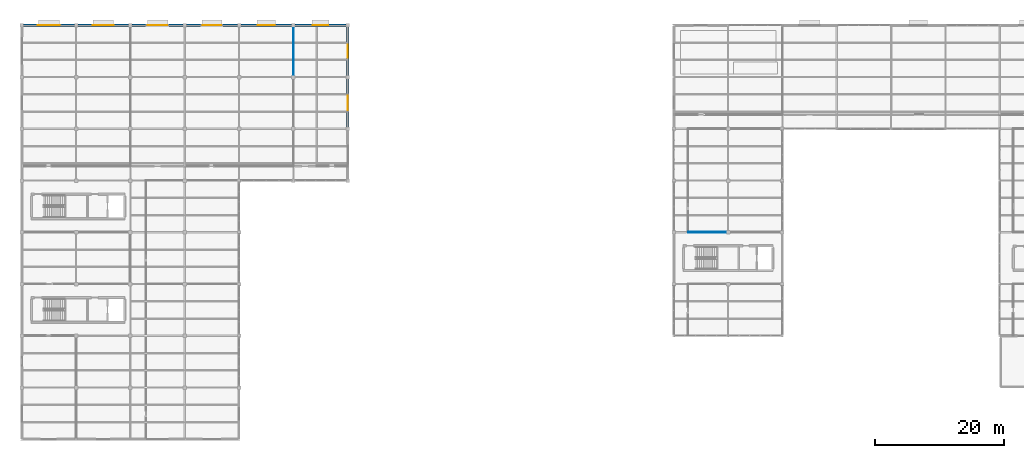
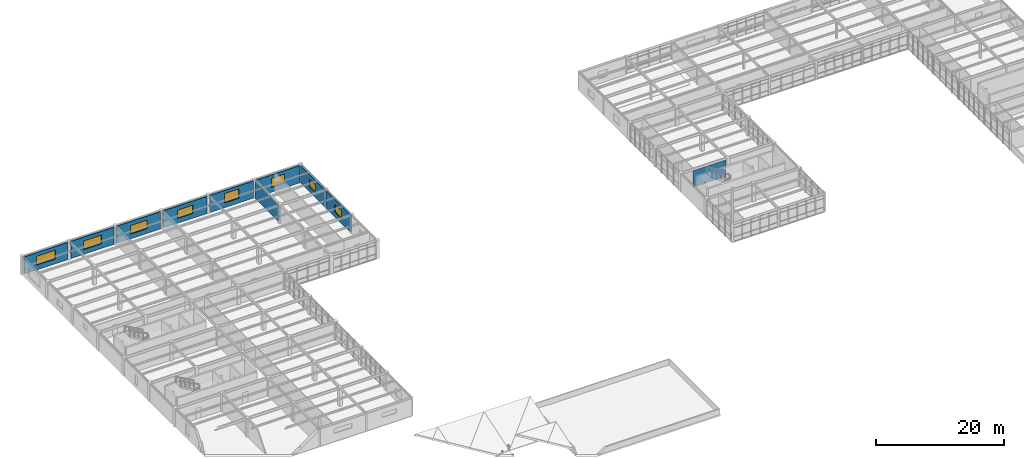
# One storey, part 44 of 53: 10 walls, 8 windows, 8 openings.
"""IFC4 building model written with IfcOpenShell, lengths in metres."""

import ifcopenshell
import ifcopenshell.guid

model = None  # the IFC model being written
_history = None  # IfcOwnerHistory: only IFC2X3 demands one
_inside = {}  # id of a spatial element -> (the spatial element, [elements in it])
_under = {}  # id of a project, library or spatial element -> (it, [spatial elements below it])
_declared = {}  # id of a project -> (the project, [libraries it declares])
_typed = {}  # id of a type object -> (the type object, [elements of that type])
_made_of = {}  # id of a material, layer set ... -> (it, [elements and type objects made of it])


def new_model(schema):
    """Start an empty IFC model of exactly this schema.

    Asked for "IFC4X3", IfcOpenShell would pick the latest addendum, in which some entities
    have other attributes; the version numbers below select the first issue.
    IFC2X3 requires an IfcOwnerHistory on every rooted entity: one is made here for all.
    """
    global model, _history
    if schema == "IFC4X3":
        model = ifcopenshell.file(schema_version=(4, 3, 0, 0))
    else:
        model = ifcopenshell.file(schema=schema)
    _inside.clear()
    _under.clear()
    _declared.clear()
    _typed.clear()
    _made_of.clear()
    _history = None
    if model.schema == "IFC2X3":
        org = make("IfcOrganization", Name="unknown")
        user = make(
            "IfcPersonAndOrganization",
            ThePerson=make("IfcPerson", FamilyName="unknown"),
            TheOrganization=org,
        )
        app = make(
            "IfcApplication",
            ApplicationDeveloper=org,
            Version="unknown",
            ApplicationFullName="unknown",
            ApplicationIdentifier="unknown",
        )
        _history = make(
            "IfcOwnerHistory",
            OwningUser=user,
            OwningApplication=app,
            ChangeAction="ADDED",
            CreationDate=0,
        )
    return model


def make(cls, **values):
    """One entity of the class cls with the attributes given. An attribute that is None is left unset."""
    return model.create_entity(
        cls, **{name: value for name, value in values.items() if value is not None}
    )


def rooted(cls, **values):
    """An entity with a GlobalId (a new one), such as an element, a storey or a relation."""
    return make(cls, GlobalId=ifcopenshell.guid.new(), OwnerHistory=_history, **values)


def si_unit(unit_type, name, prefix=None):
    """IfcSIUnit, for example si_unit("LENGTHUNIT", "METRE", prefix="MILLI")."""
    return make("IfcSIUnit", UnitType=unit_type, Prefix=prefix, Name=name)


def assignment(units):
    """IfcUnitAssignment: the units of a project."""
    return None if units is None else make("IfcUnitAssignment", Units=units)


def point(xyz):
    """IfcCartesianPoint."""
    return None if xyz is None else make("IfcCartesianPoint", Coordinates=xyz)


def direction(xyz):
    """IfcDirection."""
    return None if xyz is None else make("IfcDirection", DirectionRatios=xyz)


def frame(location, z_axis=None, x_axis=None):
    """IfcAxis2Placement3D, a coordinate frame: its origin and axes. An axis left out is left unset."""
    return make(
        "IfcAxis2Placement3D",
        Location=point(location),
        Axis=direction(z_axis),
        RefDirection=direction(x_axis),
    )


def frame_2d(location, x_axis=None):
    """IfcAxis2Placement2D, a coordinate frame in the plane: its origin and x axis."""
    return make(
        "IfcAxis2Placement2D", Location=point(location), RefDirection=direction(x_axis)
    )


def origin():
    """The frame at (0, 0, 0) with its axes left unset."""
    return frame((0.0, 0.0, 0.0))


def place(relative_to, where):
    """IfcLocalPlacement: puts the frame where relative to a parent placement (None: the world)."""
    return make(
        "IfcLocalPlacement", PlacementRelTo=relative_to, RelativePlacement=where
    )


def context(
    kind, dimensions, precision=None, world=None, true_north=None, identifier=None
):
    """IfcGeometricRepresentationContext, for example the 3D "Model" context."""
    return make(
        "IfcGeometricRepresentationContext",
        ContextIdentifier=identifier,
        ContextType=kind,
        CoordinateSpaceDimension=dimensions,
        Precision=precision,
        WorldCoordinateSystem=world,
        TrueNorth=true_north,
    )


def subcontext(parent, identifier, kind, view, scale=None):
    """IfcGeometricRepresentationSubContext, for example "Body" below "Model"."""
    return make(
        "IfcGeometricRepresentationSubContext",
        ContextIdentifier=identifier,
        ContextType=kind,
        ParentContext=parent,
        TargetScale=scale,
        TargetView=view,
    )


def project(units=None, contexts=None):
    """IfcProject with its units and contexts."""
    return rooted(
        "IfcProject",
        Name="project",
        RepresentationContexts=contexts,
        UnitsInContext=assignment(units),
    )


def spatial(cls, under=None, at=None, **own):
    """A site, building, storey or space (cls), placed at a placement, below another one or the project."""
    s = rooted(cls, ObjectPlacement=at, **own)
    if under is not None:
        _under.setdefault(under.id(), (under, []))[1].append(s)
    return s


def profile(cls, at=None, kind="AREA", **sizes):
    """A parametric profile (cls). Its sizes go by their IFC names, for example OverallWidth=200.0."""
    return make(cls, ProfileType=kind, Position=at, **sizes)


def rectangle(**sizes):
    """IfcRectangleProfileDef."""
    return profile("IfcRectangleProfileDef", **sizes)


def extrude(swept, where, along, depth):
    """IfcExtrudedAreaSolid: the profile swept, set in the frame where, extruded along a direction by depth."""
    return make(
        "IfcExtrudedAreaSolid",
        SweptArea=swept,
        Position=where,
        ExtrudedDirection=direction(along),
        Depth=depth,
    )


def shape(context_of_items, identifier, shape_type, items):
    """IfcShapeRepresentation: the items that make up one representation, for example the "Body"."""
    return make(
        "IfcShapeRepresentation",
        ContextOfItems=context_of_items,
        RepresentationIdentifier=identifier,
        RepresentationType=shape_type,
        Items=items,
    )


def material(Name=None, Category=None):
    """IfcMaterial."""
    return make("IfcMaterial", Name=Name, Category=Category)


def layer(
    of_material, thickness, ventilated=None, Name=None, Category=None, Priority=None
):
    """IfcMaterialLayer: one layer of a wall or slab, of a material (None: an air gap)."""
    return make(
        "IfcMaterialLayer",
        Material=of_material,
        LayerThickness=thickness,
        IsVentilated=ventilated,
        Name=Name,
        Category=Category,
        Priority=Priority,
    )


def layer_set(layers, Name=None):
    """IfcMaterialLayerSet."""
    return make("IfcMaterialLayerSet", MaterialLayers=layers, LayerSetName=Name)


def made_of(thing, what):
    """Note that an element or type object is made of a material, layer set ...; save() writes the relation."""
    if what is not None:
        _made_of.setdefault(what.id(), (what, []))[1].append(thing)
    return thing


def type_object(cls, material=None, **own):
    """A type object (cls), such as IfcWallType, which elements share."""
    return made_of(rooted(cls, **own), material)


def element(
    cls,
    number,
    at=None,
    inside=None,
    cuts=None,
    type_object=None,
    material=None,
    context=None,
    identifier="Body",
    shape_type=None,
    held_by="IfcProductDefinitionShape",
    body=None,
    shapes=None,
    **own,
):
    """One element of the class cls, such as IfcWall. Its Tag is "e" and its number.

    at: its placement. inside: the storey or other place that contains it. cuts: it is an
    opening in that element (IfcRelVoidsElement). A single representation is given by context,
    identifier, shape_type and body (its items); several are given by shapes. held_by: the class
    of the entity that holds the representations. save() writes the other relations.
    """
    e = rooted(cls, Tag="e%d" % number, ObjectPlacement=at, **own)
    if body is not None:
        shapes = [shape(context, identifier, shape_type, body)]
    if shapes is not None:
        e.Representation = make(held_by, Representations=shapes)
    if inside is not None:
        _inside.setdefault(inside.id(), (inside, []))[1].append(e)
    if cuts is not None:
        rooted(
            "IfcRelVoidsElement", RelatingBuildingElement=cuts, RelatedOpeningElement=e
        )
    if type_object is not None:
        _typed.setdefault(type_object.id(), (type_object, []))[1].append(e)
    return made_of(e, material)


def fill(opening, filler):
    """IfcRelFillsElement: the door or window that sits in an opening."""
    return rooted(
        "IfcRelFillsElement",
        RelatingOpeningElement=opening,
        RelatedBuildingElement=filler,
    )


def aggregate(whole, parts):
    """IfcRelAggregates: a whole, such as a stair, and the parts it consists of."""
    return rooted("IfcRelAggregates", RelatingObject=whole, RelatedObjects=parts)


def save(model, path):
    """Write the relations noted so far, then the file.

    IfcRelAggregates (storeys below a building ...), IfcRelContainedInSpatialStructure (elements
    in a storey), IfcRelDefinesByType, IfcRelAssociatesMaterial and IfcRelDeclares: one each for
    every whole, place, type object, material and project.
    """
    for whole, parts in _under.values():
        aggregate(whole, parts)
    for where, things in _inside.values():
        rooted(
            "IfcRelContainedInSpatialStructure",
            RelatedElements=things,
            RelatingStructure=where,
        )
    for kind, things in _typed.values():
        rooted("IfcRelDefinesByType", RelatedObjects=things, RelatingType=kind)
    for what, things in _made_of.values():
        rooted("IfcRelAssociatesMaterial", RelatedObjects=things, RelatingMaterial=what)
    for by, libraries in _declared.values():
        rooted("IfcRelDeclares", RelatingContext=by, RelatedDefinitions=libraries)
    model.write(path)


model = new_model("IFC4")

# Units and contexts
model_context = context("Model", 3, precision=1e-05, world=origin(), true_north=direction((0.0, 1.0)))
body_context = subcontext(model_context, "Body", "Model", "MODEL_VIEW")
ifc_project = project(units=[si_unit("LENGTHUNIT", "METRE"), si_unit("AREAUNIT", "SQUARE_METRE"), si_unit("VOLUMEUNIT", "CUBIC_METRE"), si_unit("PLANEANGLEUNIT", "RADIAN"), si_unit("MASSUNIT", "GRAM", prefix="KILO")], contexts=[model_context])

# Site, building, storey
site_placement = place(None, origin())
site = spatial("IfcSite", under=ifc_project, at=site_placement, CompositionType="ELEMENT")
building_placement = place(site_placement, origin())
building = spatial("IfcBuilding", under=site, at=building_placement, Name="Kranzveld Transit Interchange", CompositionType="ELEMENT")
storey_placement = place(building_placement, frame((0.0, 0.0, 13.360107421875)))
storey = spatial("IfcBuildingStorey", under=building, at=storey_placement, Name="L03", CompositionType="ELEMENT", Elevation=13.360107421875)

# Wall, opening, window
ifc_material_1 = material(Name="Pretoria red-purple clinker clay face brick, 35 MPa", Category="masonry")
ifc_layer_1 = layer(ifc_material_1, 0.340087890625)
ifc_layer_set_1 = layer_set([ifc_layer_1], Name="Pretoria red-purple clinker clay face brick, 35 MPa")
wall_type_1 = type_object("IfcWallType", Name="Exterior Cavity Wall Red Clinker 340", PredefinedType="SOLIDWALL", material=ifc_layer_set_1)
wall_1_placement = place(storey_placement, frame((33.875, 112.0, 0.0), z_axis=(0.0, 0.0, 1.0), x_axis=(1.0, 0.0, 0.0)))
wall_1 = element("IfcWall", 1, at=wall_1_placement, inside=storey, type_object=wall_type_1, Name="L03 Clinker Facade Wall 05/Q-06/Q", PredefinedType="SOLIDWALL", context=body_context, shape_type="SweptSolid", body=[
    extrude(rectangle(XDim=7.85009765625, YDim=0.340087890625, at=frame_2d((3.925048828125, 0.0))), origin(), (0.0, 0.0, 1.0), 3.27978515625),
])
opening_1_placement = place(wall_1_placement, frame((2.625, 0.0, 0.89990234375), z_axis=(0.0, 0.0, 1.0), x_axis=(1.0, 0.0, 0.0)))
opening_1 = element("IfcOpeningElement", 2, at=opening_1_placement, cuts=wall_1, Name="Opening W-06", PredefinedType="OPENING", context=body_context, shape_type="SweptSolid", body=[
    extrude(rectangle(XDim=2.60009765625, YDim=1.800048828125, at=frame_2d((1.300048828125, 0.89990234375))), frame((0.0, 0.179931640625, 0.0), z_axis=(0.0, -1.0, 0.0), x_axis=(1.0, 0.0, 0.0)), (0.0, 0.0, 1.0), 0.360107421875),
])
ifc_material_2 = material(Name="Solar-control double glazing", Category="glass")
window_type_1 = type_object("IfcWindowType", Name="Window Civic Double 2600x1800", PartitioningType="DOUBLE_PANEL_VERTICAL", PredefinedType="WINDOW", material=ifc_material_2)
window_1_placement = place(opening_1_placement, origin())
window_1 = element("IfcWindow", 3, at=window_1_placement, inside=storey, type_object=window_type_1, Name="L03 Facade Window 05/Q", OverallHeight=1.800048828125, OverallWidth=2.60009765625, PartitioningType="DOUBLE_PANEL_VERTICAL", PredefinedType="WINDOW", context=body_context, shape_type="SweptSolid", body=[
    extrude(rectangle(XDim=2.60009765625, YDim=1.800048828125, at=frame_2d((1.300048828125, 0.89990234375))), frame((0.0, 0.030029296875, 0.0), z_axis=(0.0, -1.0, 0.0), x_axis=(1.0, 0.0, 0.0)), (0.0, 0.0, 1.0), 0.06005859375),
])
fill(opening_1, window_1)

wall_2_placement = place(storey_placement, frame((42.27490234375, 112.0, 0.0), z_axis=(0.0, 0.0, 1.0), x_axis=(1.0, 0.0, 0.0)))
wall_2 = element("IfcWall", 4, at=wall_2_placement, inside=storey, type_object=wall_type_1, Name="L03 Clinker Facade Wall 06/Q-07/Q", PredefinedType="SOLIDWALL", context=body_context, shape_type="SweptSolid", body=[
    extrude(rectangle(XDim=7.85009765625, YDim=0.340087890625, at=frame_2d((3.925048828125, 0.0))), origin(), (0.0, 0.0, 1.0), 3.27978515625),
])
opening_2_placement = place(wall_2_placement, frame((2.72509765625, 0.0, 0.89990234375), z_axis=(0.0, 0.0, 1.0), x_axis=(1.0, 0.0, 0.0)))
opening_2 = element("IfcOpeningElement", 5, at=opening_2_placement, cuts=wall_2, Name="Opening W-07", PredefinedType="OPENING", context=body_context, shape_type="SweptSolid", body=[
    extrude(rectangle(XDim=2.39990234375, YDim=1.75, at=frame_2d((1.199951171875, 0.875))), frame((0.0, 0.179931640625, 0.0), z_axis=(0.0, -1.0, 0.0), x_axis=(1.0, 0.0, 0.0)), (0.0, 0.0, 1.0), 0.360107421875),
])
ifc_material_3 = material(Name="Solar-control double glazing", Category="glass")
window_type_2 = type_object("IfcWindowType", Name="Window Civic Double 2400x1750", PartitioningType="DOUBLE_PANEL_VERTICAL", PredefinedType="WINDOW", material=ifc_material_3)
window_2_placement = place(opening_2_placement, origin())
window_2 = element("IfcWindow", 6, at=window_2_placement, inside=storey, type_object=window_type_2, Name="L03 Facade Window 06/Q", OverallHeight=1.75, OverallWidth=2.39990234375, PartitioningType="DOUBLE_PANEL_VERTICAL", PredefinedType="WINDOW", context=body_context, shape_type="SweptSolid", body=[
    extrude(rectangle(XDim=2.39990234375, YDim=1.75, at=frame_2d((1.199951171875, 0.875))), frame((0.0, 0.030029296875, 0.0), z_axis=(0.0, -1.0, 0.0), x_axis=(1.0, 0.0, 0.0)), (0.0, 0.0, 1.0), 0.06005859375),
])
fill(opening_2, window_2)

wall_3_placement = place(storey_placement, frame((50.39990234375, 96.27490234375, 0.0), z_axis=(0.0, 0.0, 1.0), x_axis=(0.0, 1.0, 0.0)))
wall_3 = element("IfcWall", 7, at=wall_3_placement, inside=storey, type_object=wall_type_1, Name="L03 Clinker Facade Wall 07/N-07/P", PredefinedType="SOLIDWALL", context=body_context, shape_type="SweptSolid", body=[
    extrude(rectangle(XDim=7.4501953125, YDim=0.340087890625, at=frame_2d((3.72509765625, 0.0))), origin(), (0.0, 0.0, 1.0), 3.27978515625),
])
opening_3_placement = place(wall_3_placement, frame((2.625, 0.0, 0.89990234375), z_axis=(0.0, 0.0, 1.0), x_axis=(1.0, 0.0, 0.0)))
opening_3 = element("IfcOpeningElement", 8, at=opening_3_placement, cuts=wall_3, Name="Opening W-09", PredefinedType="OPENING", context=body_context, shape_type="SweptSolid", body=[
    extrude(rectangle(XDim=2.199951171875, YDim=1.5, at=frame_2d((1.10009765625, 0.75))), frame((0.0, 0.179931640625, 0.0), z_axis=(0.0, -1.0, 0.0), x_axis=(1.0, 0.0, 0.0)), (0.0, 0.0, 1.0), 0.360107421875),
])
ifc_material_4 = material(Name="Solar-control double glazing", Category="glass")
window_type_3 = type_object("IfcWindowType", Name="Window Office Double 2200x1500", PartitioningType="DOUBLE_PANEL_VERTICAL", PredefinedType="WINDOW", material=ifc_material_4)
window_3_placement = place(opening_3_placement, origin())
window_3 = element("IfcWindow", 9, at=window_3_placement, inside=storey, type_object=window_type_3, Name="L03 Facade Window 07/N", OverallHeight=1.5, OverallWidth=2.199951171875, PartitioningType="DOUBLE_PANEL_VERTICAL", PredefinedType="WINDOW", context=body_context, shape_type="SweptSolid", body=[
    extrude(rectangle(XDim=2.199951171875, YDim=1.5, at=frame_2d((1.10009765625, 0.75))), frame((0.0, 0.030029296875, 0.0), z_axis=(0.0, -1.0, 0.0), x_axis=(1.0, 0.0, 0.0)), (0.0, 0.0, 1.0), 0.06005859375),
])
fill(opening_3, window_3)

wall_4_placement = place(storey_placement, frame((50.39990234375, 104.27490234375, 0.0), z_axis=(0.0, 0.0, 1.0), x_axis=(0.0, 1.0, 0.0)))
wall_4 = element("IfcWall", 10, at=wall_4_placement, inside=storey, type_object=wall_type_1, Name="L03 Clinker Facade Wall 07/P-07/Q", PredefinedType="SOLIDWALL", context=body_context, shape_type="SweptSolid", body=[
    extrude(rectangle(XDim=7.4501953125, YDim=0.340087890625, at=frame_2d((3.72509765625, 0.0))), origin(), (0.0, 0.0, 1.0), 3.27978515625),
])
opening_4_placement = place(wall_4_placement, frame((2.72509765625, 0.0, 0.89990234375), z_axis=(0.0, 0.0, 1.0), x_axis=(1.0, 0.0, 0.0)))
opening_4 = element("IfcOpeningElement", 11, at=opening_4_placement, cuts=wall_4, Name="Opening W-10", PredefinedType="OPENING", context=body_context, shape_type="SweptSolid", body=[
    extrude(rectangle(XDim=2.0, YDim=1.5, at=frame_2d((1.0, 0.75))), frame((0.0, 0.179931640625, 0.0), z_axis=(0.0, -1.0, 0.0), x_axis=(1.0, 0.0, 0.0)), (0.0, 0.0, 1.0), 0.360107421875),
])
ifc_material_5 = material(Name="Solar-control double glazing", Category="glass")
window_type_4 = type_object("IfcWindowType", Name="Window Office Double 2000x1500", PartitioningType="DOUBLE_PANEL_VERTICAL", PredefinedType="WINDOW", material=ifc_material_5)
window_4_placement = place(opening_4_placement, origin())
window_4 = element("IfcWindow", 12, at=window_4_placement, inside=storey, type_object=window_type_4, Name="L03 Facade Window 07/P", OverallHeight=1.5, OverallWidth=2.0, PartitioningType="DOUBLE_PANEL_VERTICAL", PredefinedType="WINDOW", context=body_context, shape_type="SweptSolid", body=[
    extrude(rectangle(XDim=2.0, YDim=1.5, at=frame_2d((1.0, 0.75))), frame((0.0, 0.030029296875, 0.0), z_axis=(0.0, -1.0, 0.0), x_axis=(1.0, 0.0, 0.0)), (0.0, 0.0, 1.0), 0.06005859375),
])
fill(opening_4, window_4)

wall_5_placement = place(storey_placement, frame((0.27490234375, 112.0, 0.0), z_axis=(0.0, 0.0, 1.0), x_axis=(1.0, 0.0, 0.0)))
wall_5 = element("IfcWall", 13, at=wall_5_placement, inside=storey, type_object=wall_type_1, Name="L03 Clinker Facade Wall 01/Q-02/Q", PredefinedType="SOLIDWALL", context=body_context, shape_type="SweptSolid", body=[
    extrude(rectangle(XDim=7.85009765625, YDim=0.340087890625, at=frame_2d((3.925048828125, 0.0))), origin(), (0.0, 0.0, 1.0), 3.27978515625),
])
opening_5_placement = place(wall_5_placement, frame((2.22509765625, 0.0, 0.89990234375), z_axis=(0.0, 0.0, 1.0), x_axis=(1.0, 0.0, 0.0)))
opening_5 = element("IfcOpeningElement", 14, at=opening_5_placement, cuts=wall_5, Name="Opening W-02", PredefinedType="OPENING", context=body_context, shape_type="SweptSolid", body=[
    extrude(rectangle(XDim=3.39990234375, YDim=1.699951171875, at=frame_2d((1.699951171875, 0.85009765625))), frame((0.0, 0.179931640625, 0.0), z_axis=(0.0, -1.0, 0.0), x_axis=(1.0, 0.0, 0.0)), (0.0, 0.0, 1.0), 0.360107421875),
])
ifc_material_6 = material(Name="Solar-control double glazing", Category="glass")
window_type_5 = type_object("IfcWindowType", Name="Window Ribbon Triple 3400x1700", PartitioningType="TRIPLE_PANEL_VERTICAL", PredefinedType="WINDOW", material=ifc_material_6)
window_5_placement = place(opening_5_placement, origin())
window_5 = element("IfcWindow", 15, at=window_5_placement, inside=storey, type_object=window_type_5, Name="L03 Facade Window 01/Q", OverallHeight=1.699951171875, OverallWidth=3.39990234375, PartitioningType="TRIPLE_PANEL_VERTICAL", PredefinedType="WINDOW", context=body_context, shape_type="SweptSolid", body=[
    extrude(rectangle(XDim=3.39990234375, YDim=1.699951171875, at=frame_2d((1.699951171875, 0.85009765625))), frame((0.0, 0.030029296875, 0.0), z_axis=(0.0, -1.0, 0.0), x_axis=(1.0, 0.0, 0.0)), (0.0, 0.0, 1.0), 0.06005859375),
])
fill(opening_5, window_5)

wall_6_placement = place(storey_placement, frame((8.675048828125, 112.0, 0.0), z_axis=(0.0, 0.0, 1.0), x_axis=(1.0, 0.0, 0.0)))
wall_6 = element("IfcWall", 16, at=wall_6_placement, inside=storey, type_object=wall_type_1, Name="L03 Clinker Facade Wall 02/Q-03/Q", PredefinedType="SOLIDWALL", context=body_context, shape_type="SweptSolid", body=[
    extrude(rectangle(XDim=7.849853515625, YDim=0.340087890625, at=frame_2d((3.9248046875, 0.0))), origin(), (0.0, 0.0, 1.0), 3.27978515625),
])
opening_6_placement = place(wall_6_placement, frame((2.324951171875, 0.0, 0.89990234375), z_axis=(0.0, 0.0, 1.0), x_axis=(1.0, 0.0, 0.0)))
opening_6 = element("IfcOpeningElement", 17, at=opening_6_placement, cuts=wall_6, Name="Opening W-03", PredefinedType="OPENING", context=body_context, shape_type="SweptSolid", body=[
    extrude(rectangle(XDim=3.199951171875, YDim=1.64990234375, at=frame_2d((1.60009765625, 0.824951171875))), frame((0.0, 0.179931640625, 0.0), z_axis=(0.0, -1.0, 0.0), x_axis=(1.0, 0.0, 0.0)), (0.0, 0.0, 1.0), 0.360107421875),
])
ifc_material_7 = material(Name="Solar-control double glazing", Category="glass")
window_type_6 = type_object("IfcWindowType", Name="Window Ribbon Triple 3200x1650", PartitioningType="TRIPLE_PANEL_VERTICAL", PredefinedType="WINDOW", material=ifc_material_7)
window_6_placement = place(opening_6_placement, origin())
window_6 = element("IfcWindow", 18, at=window_6_placement, inside=storey, type_object=window_type_6, Name="L03 Facade Window 02/Q", OverallHeight=1.64990234375, OverallWidth=3.199951171875, PartitioningType="TRIPLE_PANEL_VERTICAL", PredefinedType="WINDOW", context=body_context, shape_type="SweptSolid", body=[
    extrude(rectangle(XDim=3.199951171875, YDim=1.64990234375, at=frame_2d((1.60009765625, 0.824951171875))), frame((0.0, 0.030029296875, 0.0), z_axis=(0.0, -1.0, 0.0), x_axis=(1.0, 0.0, 0.0)), (0.0, 0.0, 1.0), 0.06005859375),
])
fill(opening_6, window_6)

wall_7_placement = place(storey_placement, frame((17.074951171875, 112.0, 0.0), z_axis=(0.0, 0.0, 1.0), x_axis=(1.0, 0.0, 0.0)))
wall_7 = element("IfcWall", 19, at=wall_7_placement, inside=storey, type_object=wall_type_1, Name="L03 Clinker Facade Wall 03/Q-04/Q", PredefinedType="SOLIDWALL", context=body_context, shape_type="SweptSolid", body=[
    extrude(rectangle(XDim=7.85009765625, YDim=0.340087890625, at=frame_2d((3.925048828125, 0.0))), origin(), (0.0, 0.0, 1.0), 3.27978515625),
])
opening_7_placement = place(wall_7_placement, frame((2.425048828125, 0.0, 0.89990234375), z_axis=(0.0, 0.0, 1.0), x_axis=(1.0, 0.0, 0.0)))
opening_7 = element("IfcOpeningElement", 20, at=opening_7_placement, cuts=wall_7, Name="Opening W-04", PredefinedType="OPENING", context=body_context, shape_type="SweptSolid", body=[
    extrude(rectangle(XDim=3.0, YDim=1.64990234375, at=frame_2d((1.5, 0.824951171875))), frame((0.0, 0.179931640625, 0.0), z_axis=(0.0, -1.0, 0.0), x_axis=(1.0, 0.0, 0.0)), (0.0, 0.0, 1.0), 0.360107421875),
])
ifc_material_8 = material(Name="Solar-control double glazing", Category="glass")
window_type_7 = type_object("IfcWindowType", Name="Window Ribbon Double 3000x1650", PartitioningType="DOUBLE_PANEL_VERTICAL", PredefinedType="WINDOW", material=ifc_material_8)
window_7_placement = place(opening_7_placement, origin())
window_7 = element("IfcWindow", 21, at=window_7_placement, inside=storey, type_object=window_type_7, Name="L03 Facade Window 03/Q", OverallHeight=1.64990234375, OverallWidth=3.0, PartitioningType="DOUBLE_PANEL_VERTICAL", PredefinedType="WINDOW", context=body_context, shape_type="SweptSolid", body=[
    extrude(rectangle(XDim=3.0, YDim=1.64990234375, at=frame_2d((1.5, 0.824951171875))), frame((0.0, 0.030029296875, 0.0), z_axis=(0.0, -1.0, 0.0), x_axis=(1.0, 0.0, 0.0)), (0.0, 0.0, 1.0), 0.06005859375),
])
fill(opening_7, window_7)

wall_8_placement = place(storey_placement, frame((25.47509765625, 112.0, 0.0), z_axis=(0.0, 0.0, 1.0), x_axis=(1.0, 0.0, 0.0)))
wall_8 = element("IfcWall", 22, at=wall_8_placement, inside=storey, type_object=wall_type_1, Name="L03 Clinker Facade Wall 04/Q-05/Q", PredefinedType="SOLIDWALL", context=body_context, shape_type="SweptSolid", body=[
    extrude(rectangle(XDim=7.849853515625, YDim=0.340087890625, at=frame_2d((3.9248046875, 0.0))), origin(), (0.0, 0.0, 1.0), 3.27978515625),
])
opening_8_placement = place(wall_8_placement, frame((2.52490234375, 0.0, 0.89990234375), z_axis=(0.0, 0.0, 1.0), x_axis=(1.0, 0.0, 0.0)))
opening_8 = element("IfcOpeningElement", 23, at=opening_8_placement, cuts=wall_8, Name="Opening W-05", PredefinedType="OPENING", context=body_context, shape_type="SweptSolid", body=[
    extrude(rectangle(XDim=2.800048828125, YDim=1.60009765625, at=frame_2d((1.39990234375, 0.800048828125))), frame((0.0, 0.179931640625, 0.0), z_axis=(0.0, -1.0, 0.0), x_axis=(1.0, 0.0, 0.0)), (0.0, 0.0, 1.0), 0.360107421875),
])
ifc_material_9 = material(Name="Solar-control double glazing", Category="glass")
window_type_8 = type_object("IfcWindowType", Name="Window Ribbon Double 2800x1600", PartitioningType="DOUBLE_PANEL_VERTICAL", PredefinedType="WINDOW", material=ifc_material_9)
window_8_placement = place(opening_8_placement, origin())
window_8 = element("IfcWindow", 24, at=window_8_placement, inside=storey, type_object=window_type_8, Name="L03 Facade Window 04/Q", OverallHeight=1.60009765625, OverallWidth=2.800048828125, PartitioningType="DOUBLE_PANEL_VERTICAL", PredefinedType="WINDOW", context=body_context, shape_type="SweptSolid", body=[
    extrude(rectangle(XDim=2.800048828125, YDim=1.60009765625, at=frame_2d((1.39990234375, 0.800048828125))), frame((0.0, 0.030029296875, 0.0), z_axis=(0.0, -1.0, 0.0), x_axis=(1.0, 0.0, 0.0)), (0.0, 0.0, 1.0), 0.06005859375),
])
fill(opening_8, window_8)

# Walls
ifc_material_10 = material(Name="Clay masonry unit wall, 20 MPa", Category="masonry")
ifc_layer_2 = layer(ifc_material_10, 0.114990234375)
ifc_layer_set_2 = layer_set([ifc_layer_2], Name="Clay masonry unit wall, 20 MPa")
wall_type_2 = type_object("IfcWallType", Name="Internal Masonry Partition 115", PredefinedType="PARTITIONING", material=ifc_layer_set_2)
wall_9_placement = place(storey_placement, frame((103.0, 80.0, 0.0), z_axis=(0.0, 0.0, 1.0), x_axis=(1.0, 0.0, 0.0)))
element("IfcWall", 25, at=wall_9_placement, inside=storey, type_object=wall_type_2, Name="L03 Partition IW-L03-L03V4W-S-317-0", PredefinedType="PARTITIONING", context=body_context, shape_type="SweptSolid", body=[
    extrude(rectangle(XDim=5.93505859375, YDim=0.114990234375, at=frame_2d((2.967529296875, 0.0))), origin(), (0.0, 0.0, 1.0), 3.122802734375),
])
ifc_material_11 = material(Name="Clay masonry unit wall, 20 MPa", Category="masonry")
ifc_layer_3 = layer(ifc_material_11, 0.10009765625)
ifc_layer_set_3 = layer_set([ifc_layer_3], Name="Clay masonry unit wall, 20 MPa")
wall_type_3 = type_object("IfcWallType", Name="Lightweight Drywall Partition 100", PredefinedType="PARTITIONING", material=ifc_layer_set_3)
wall_10_placement = place(storey_placement, frame((42.0, 104.264892578125, 0.0), z_axis=(0.0, 0.0, 1.0), x_axis=(0.0, 1.0, 0.0)))
element("IfcWall", 26, at=wall_10_placement, inside=storey, type_object=wall_type_3, Name="L03 Partition IW-L03-L03V5N-E-313-2", PredefinedType="PARTITIONING", context=body_context, shape_type="SweptSolid", body=[
    extrude(rectangle(XDim=7.47021484375, YDim=0.10009765625, at=frame_2d((3.735107421875, 0.0))), origin(), (0.0, 0.0, 1.0), 3.12646484375),
])

save(model, "model.ifc")
